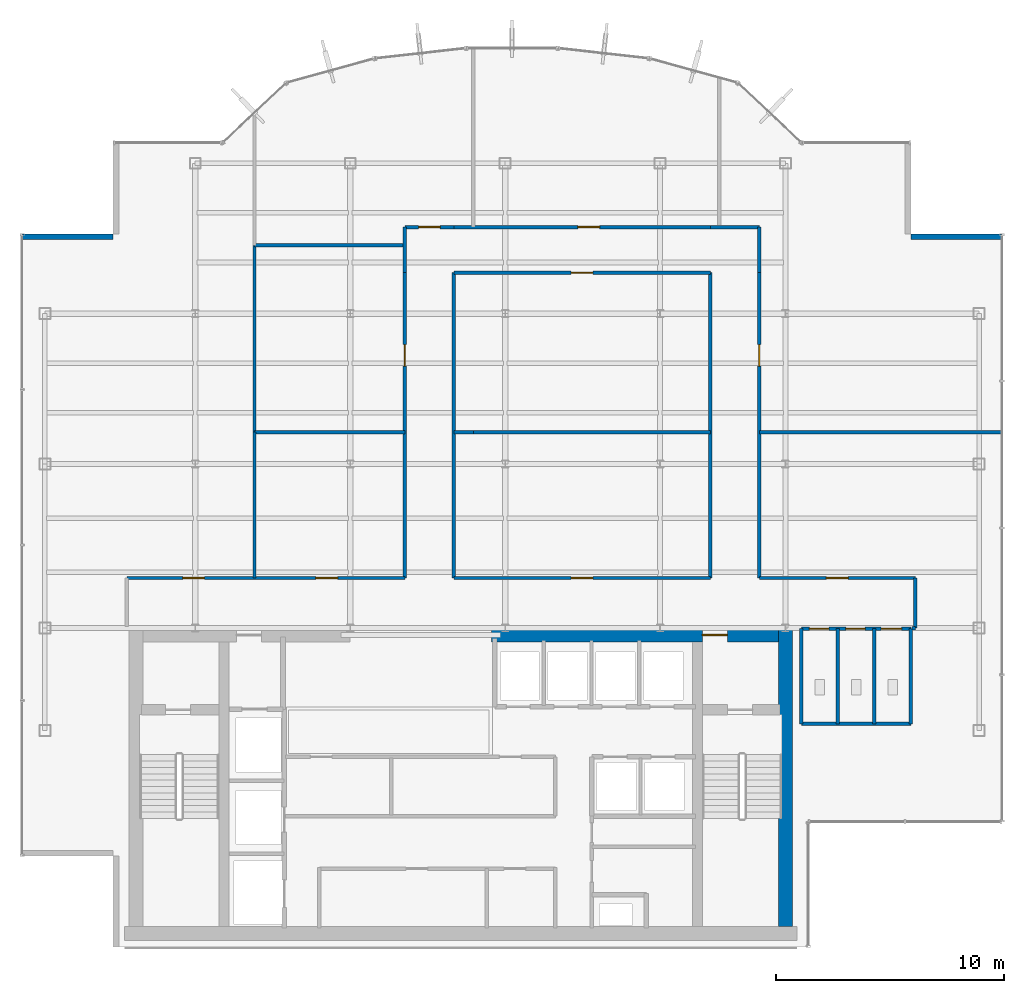
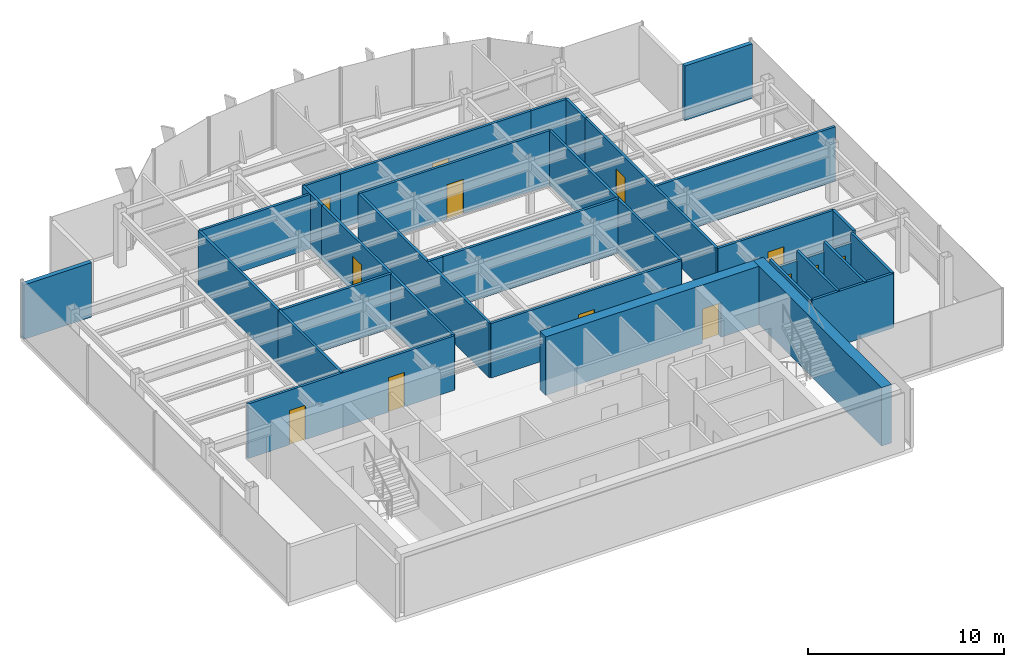
# One storey, part 18 of 22: 32 walls, 13 doors, 13 openings.
"""IFC4 building model written with IfcOpenShell, lengths in metres."""

from ifc_helpers import new_model, si_unit, derived_unit, direction, frame, frame_2d, origin, place, context, subcontext, project, spatial, rectangle, extrude, source, transform, mapped, material, layer, layer_set, type_object, element, fill, save


model = new_model("IFC4")

# Units and contexts
model_context = context("Model", 3, precision=1e-05, world=origin(), true_north=direction((0.0, 1.0)))
body_context = subcontext(model_context, "Body", "Model", "MODEL_VIEW")
ifc_project = project(units=[si_unit("LENGTHUNIT", "METRE"), si_unit("AREAUNIT", "SQUARE_METRE"), si_unit("VOLUMEUNIT", "CUBIC_METRE"), si_unit("PLANEANGLEUNIT", "RADIAN"), si_unit("MASSUNIT", "GRAM", prefix="KILO"), derived_unit("THERMALTRANSMITTANCEUNIT", [(si_unit("POWERUNIT", "WATT"), 1), (si_unit("LENGTHUNIT", "METRE"), -2), (si_unit("THERMODYNAMICTEMPERATUREUNIT", "KELVIN"), -1)])], contexts=[model_context])

# Site, building, storey
site_placement = place(None, origin())
site = spatial("IfcSite", under=ifc_project, at=site_placement, CompositionType="ELEMENT")
building_placement = place(site_placement, origin())
building = spatial("IfcBuilding", under=site, at=building_placement, Name="Skarnbrae Concourse Arena and Tower", CompositionType="ELEMENT")
storey_placement = place(building_placement, frame((0.0, 0.0, 247.85009765625)))
storey = spatial("IfcBuildingStorey", under=building, at=storey_placement, Name="L64", CompositionType="ELEMENT", Elevation=247.85009765625)

# Wall
ifc_material_1 = material(Name="Concrete 50 MPa (C50/60)", Category="concrete")
ifc_layer_1 = layer(ifc_material_1, 0.60009765625)
ifc_layer_set_1 = layer_set([ifc_layer_1], Name="Concrete 50 MPa (C50/60)")
wall_type_1 = type_object("IfcWallType", Name="WALL-CORE-600-C50", PredefinedType="SHEAR", material=ifc_layer_set_1)
shared_shape_1 = source(origin(), body_context, "Body", "SweptSolid", [
    extrude(rectangle(XDim=13.10009765625, YDim=0.60009765625, at=frame_2d((6.550048828125, 0.0))), origin(), (0.0, 0.0, 1.0), 3.64990234375),
])
wall_1_placement = place(storey_placement, frame((33.5, 0.89990234375, 0.0), z_axis=(0.0, 0.0, 1.0), x_axis=(0.0, 1.0, 0.0)))
element("IfcWall", 1, at=wall_1_placement, inside=storey, type_object=wall_type_1, Name="L64 Rear core shear wall CW-E", PredefinedType="SHEAR", context=body_context, shape_type="MappedRepresentation", body=[
    mapped(shared_shape_1, transform((0.0, 0.0, 0.0))),
])

# Wall, opening, door
shared_shape_2 = source(origin(), body_context, "Body", "SweptSolid", [
    extrude(rectangle(XDim=12.599853515625, YDim=0.60009765625, at=frame_2d((6.2998046875, 0.0))), origin(), (0.0, 0.0, 1.0), 3.64990234375),
])
wall_2_placement = place(storey_placement, frame((20.60009765625, 13.699951171875, 0.0), z_axis=(0.0, 0.0, 1.0), x_axis=(1.0, 0.0, 0.0)))
wall_2 = element("IfcWall", 2, at=wall_2_placement, inside=storey, type_object=wall_type_1, Name="L64 Rear core shear wall CW-NE", PredefinedType="SHEAR", context=body_context, shape_type="MappedRepresentation", body=[
    mapped(shared_shape_2, transform((0.0, 0.0, 0.0))),
])
opening_1_placement = place(wall_2_placement, frame((9.25, 0.0, 0.0)))
opening_1 = element("IfcOpeningElement", 3, at=opening_1_placement, cuts=wall_2, Name="Opening DT-03", PredefinedType="OPENING", context=body_context, shape_type="SweptSolid", body=[
    extrude(rectangle(XDim=1.10009765625, YDim=2.14990234375, at=frame_2d((0.550048828125, 1.074951171875))), frame((0.0, 0.31005859375, 0.0), z_axis=(0.0, -1.0, 0.0), x_axis=(1.0, 0.0, 0.0)), (0.0, 0.0, 1.0), 0.6201171875),
])
ifc_material_2 = material(Name="Steel CSA G40.21 350W", Category="steel")
door_type_1 = type_object("IfcDoorType", Name="DOOR-FIRE-1100-90M", OperationType="NOTDEFINED", PredefinedType="DOOR", material=ifc_material_2)
shared_shape_3 = source(origin(), body_context, "Body", "SweptSolid", [
    extrude(rectangle(XDim=1.10009765625, YDim=2.14990234375, at=frame_2d((0.550048828125, 1.074951171875))), frame((0.0, 0.02490234375, 0.0), z_axis=(0.0, -1.0, 0.0), x_axis=(1.0, 0.0, 0.0)), (0.0, 0.0, 1.0), 0.050048828125),
])
door_1_placement = place(opening_1_placement, origin())
door_1 = element("IfcDoor", 4, at=door_1_placement, inside=storey, type_object=door_type_1, Name="D-1925 Stair ST-2 Vestibule Door", OperationType="SINGLE_SWING_LEFT", OverallHeight=2.14990234375, OverallWidth=1.10009765625, PredefinedType="DOOR", context=body_context, shape_type="MappedRepresentation", body=[
    mapped(shared_shape_3, transform((0.0, 0.0, 0.0))),
])
fill(opening_1, door_1)

# Walls
ifc_material_3 = material(Name="Precast concrete 40 MPa (C40/50)", Category="concrete")
ifc_layer_2 = layer(ifc_material_3, 0.25)
ifc_layer_set_2 = layer_set([ifc_layer_2], Name="Precast concrete 40 MPa (C40/50)")
wall_type_2 = type_object("IfcWallType", Name="WALL-EXT-SPANDREL-250", PredefinedType="STANDARD", material=ifc_layer_set_2)
shared_shape_4 = source(origin(), body_context, "Body", "SweptSolid", [
    extrude(rectangle(XDim=4.0, YDim=0.25, at=frame_2d((2.0, 0.0))), origin(), (0.0, 0.0, 1.0), 3.39990234375),
])
for number, where, z_axis, x_axis, name in (
    (5, (43.0, 31.175048828125, 0.0), (0.0, 0.0, 1.0), (-1.0, 0.0, 0.0), "L64 Notched corner insulated return wall 05"),
    (6, (4.0, 31.175048828125, 0.0), (0.0, 0.0, 1.0), (-1.0, 0.0, 0.0), "L64 Notched corner insulated return wall 17"),
):
    element("IfcWall", number, at=place(storey_placement, frame(where, z_axis=z_axis, x_axis=x_axis)), inside=storey, type_object=wall_type_2, Name=name, PredefinedType="STANDARD", context=body_context, shape_type="MappedRepresentation", body=[
        mapped(shared_shape_4, transform((0.0, 0.0, 0.0))),
    ])
ifc_material_4 = material(Name="Gypsum board on cold-formed steel studs", Category="steel")
ifc_layer_3 = layer(ifc_material_4, 0.14990234375)
ifc_layer_set_3 = layer_set([ifc_layer_3], Name="Gypsum board on cold-formed steel studs")
wall_type_3 = type_object("IfcWallType", Name="WALL-PART-150", PredefinedType="PARTITIONING", material=ifc_layer_set_3)
shared_shape_5 = source(origin(), body_context, "Body", "SweptSolid", [
    extrude(rectangle(XDim=4.800048828125, YDim=0.14990234375, at=frame_2d((2.39990234375, 0.0))), origin(), (0.0, 0.0, 1.0), 3.39990234375),
])
wall_3_placement = place(storey_placement, frame((34.199951171875, 9.800048828125, 0.0), z_axis=(0.0, 0.0, 1.0), x_axis=(1.0, 0.0, 0.0)))
element("IfcWall", 7, at=wall_3_placement, inside=storey, type_object=wall_type_3, Name="L64 Interior partition wall W-L64-WC-S", PredefinedType="PARTITIONING", context=body_context, shape_type="MappedRepresentation", body=[
    mapped(shared_shape_5, transform((0.0, 0.0, 0.0))),
])
shared_shape_6 = source(origin(), body_context, "Body", "SweptSolid", [
    extrude(rectangle(XDim=4.179931640625, YDim=0.14990234375, at=frame_2d((2.08984375, 0.0))), origin(), (0.0, 0.0, 1.0), 3.39990234375),
])
for number, where, z_axis, x_axis, name in (
    (8, (39.0, 9.800048828125, 0.0), (0.0, 0.0, 1.0), (0.0, 1.0, 0.0), "L64 Interior partition wall W-L64-WC-E"),
    (9, (34.199951171875, 9.800048828125, 0.0), (0.0, 0.0, 1.0), (0.0, 1.0, 0.0), "L64 Interior partition wall W-L64-WC-W"),
    (10, (35.800048828125, 9.800048828125, 0.0), (0.0, 0.0, 1.0), (0.0, 1.0, 0.0), "L64 Interior partition wall W-L64-WC-D1"),
    (11, (37.39990234375, 9.800048828125, 0.0), (0.0, 0.0, 1.0), (0.0, 1.0, 0.0), "L64 Interior partition wall W-L64-WC-D2"),
):
    element("IfcWall", number, at=place(storey_placement, frame(where, z_axis=z_axis, x_axis=x_axis)), inside=storey, type_object=wall_type_3, Name=name, PredefinedType="PARTITIONING", context=body_context, shape_type="MappedRepresentation", body=[
        mapped(shared_shape_6, transform((0.0, 0.0, 0.0))),
    ])

# Wall, opening, door
ifc_layer_4 = layer(ifc_material_4, 0.14990234375)
ifc_layer_set_4 = layer_set([ifc_layer_4], Name="Gypsum board on cold-formed steel studs")
wall_type_4 = type_object("IfcWallType", Name="WALL-PART-150-1HR", PredefinedType="PARTITIONING", material=ifc_layer_set_4)
shared_shape_7 = source(origin(), body_context, "Body", "SweptSolid", [
    extrude(rectangle(XDim=13.400146484375, YDim=0.14990234375, at=frame_2d((6.7001953125, 0.0))), origin(), (0.0, 0.0, 1.0), 3.39990234375),
])
wall_4_placement = place(storey_placement, frame((16.800048828125, 16.199951171875, 0.0), z_axis=(0.0, 0.0, 1.0), x_axis=(0.0, 1.0, 0.0)))
wall_4 = element("IfcWall", 12, at=wall_4_placement, inside=storey, type_object=wall_type_4, Name="L64 Interior partition wall W-L64-COR-03", PredefinedType="PARTITIONING", context=body_context, shape_type="MappedRepresentation", body=[
    mapped(shared_shape_7, transform((0.0, 0.0, 0.0))),
])
opening_2_placement = place(wall_4_placement, frame((9.294921875, 0.0, 0.0)))
opening_2 = element("IfcOpeningElement", 13, at=opening_2_placement, cuts=wall_4, Name="Opening DT-04", PredefinedType="OPENING", context=body_context, shape_type="SweptSolid", body=[
    extrude(rectangle(XDim=0.949951171875, YDim=2.14990234375, at=frame_2d((0.47509765625, 1.074951171875))), frame((0.0, 0.0849609375, 0.0), z_axis=(0.0, -1.0, 0.0), x_axis=(1.0, 0.0, 0.0)), (0.0, 0.0, 1.0), 0.169921875),
])
door_type_2 = type_object("IfcDoorType", Name="DOOR-INT-950-45M", OperationType="NOTDEFINED", PredefinedType="DOOR", material=ifc_material_2)
shared_shape_8 = source(origin(), body_context, "Body", "SweptSolid", [
    extrude(rectangle(XDim=0.949951171875, YDim=2.14990234375, at=frame_2d((0.47509765625, 1.074951171875))), frame((0.0, 0.02490234375, 0.0), z_axis=(0.0, -1.0, 0.0), x_axis=(1.0, 0.0, 0.0)), (0.0, 0.0, 1.0), 0.050048828125),
])
door_2_placement = place(opening_2_placement, origin())
door_2 = element("IfcDoor", 14, at=door_2_placement, inside=storey, type_object=door_type_2, Name="D-1946 L64 Suite Door 03", OperationType="SINGLE_SWING_RIGHT", OverallHeight=2.14990234375, OverallWidth=0.949951171875, PredefinedType="DOOR", context=body_context, shape_type="MappedRepresentation", body=[
    mapped(shared_shape_8, transform((0.0, 0.0, 0.0))),
])
fill(opening_2, door_2)

wall_5_placement = place(storey_placement, frame((32.35009765625, 29.60009765625, 0.0), z_axis=(0.0, 0.0, 1.0), x_axis=(0.0, -1.0, 0.0)))
wall_5 = element("IfcWall", 15, at=wall_5_placement, inside=storey, type_object=wall_type_4, Name="L64 Interior partition wall W-L64-COR-09", PredefinedType="PARTITIONING", context=body_context, shape_type="MappedRepresentation", body=[
    mapped(shared_shape_7, transform((0.0, 0.0, 0.0))),
])
opening_3_placement = place(wall_5_placement, frame((3.155029296875, 0.0, 0.0)))
opening_3 = element("IfcOpeningElement", 16, at=opening_3_placement, cuts=wall_5, Name="Opening DT-04", PredefinedType="OPENING", context=body_context, shape_type="SweptSolid", body=[
    extrude(rectangle(XDim=0.949951171875, YDim=2.14990234375, at=frame_2d((0.47509765625, 1.074951171875))), frame((0.0, 0.0849609375, 0.0), z_axis=(0.0, -1.0, 0.0), x_axis=(1.0, 0.0, 0.0)), (0.0, 0.0, 1.0), 0.169921875),
])
door_3_placement = place(opening_3_placement, origin())
door_3 = element("IfcDoor", 17, at=door_3_placement, inside=storey, type_object=door_type_2, Name="D-1951 L64 Suite Door 08", OperationType="SINGLE_SWING_LEFT", OverallHeight=2.14990234375, OverallWidth=0.949951171875, PredefinedType="DOOR", context=body_context, shape_type="MappedRepresentation", body=[
    mapped(shared_shape_8, transform((0.0, 0.0, 0.0))),
])
fill(opening_3, door_3)

# Walls
for number, where, z_axis, x_axis, name in (
    (18, (30.199951171875, 16.199951171875, 0.0), (0.0, 0.0, 1.0), (0.0, 1.0, 0.0), "L64 Interior partition wall W-L64-COR-14"),
    (19, (18.949951171875, 29.60009765625, 0.0), (0.0, 0.0, 1.0), (0.0, -1.0, 0.0), "L64 Interior partition wall W-L64-COR-16"),
):
    element("IfcWall", number, at=place(storey_placement, frame(where, z_axis=z_axis, x_axis=x_axis)), inside=storey, type_object=wall_type_4, Name=name, PredefinedType="PARTITIONING", context=body_context, shape_type="MappedRepresentation", body=[
        mapped(shared_shape_7, transform((0.0, 0.0, 0.0))),
    ])
shared_shape_9 = source(origin(), body_context, "Body", "SweptSolid", [
    extrude(rectangle(XDim=2.199951171875, YDim=0.14990234375, at=frame_2d((1.10009765625, 0.0))), origin(), (0.0, 0.0, 1.0), 3.39990234375),
])
wall_6_placement = place(storey_placement, frame((39.199951171875, 16.199951171875, 0.0), z_axis=(0.0, 0.0, 1.0), x_axis=(0.0, -1.0, 0.0)))
element("IfcWall", 20, at=wall_6_placement, inside=storey, type_object=wall_type_4, Name="L64 Interior partition wall W-L64-COR-11", PredefinedType="PARTITIONING", context=body_context, shape_type="MappedRepresentation", body=[
    mapped(shared_shape_9, transform((0.0, 0.0, 0.0))),
])

# Wall, openings, doors
shared_shape_10 = source(origin(), body_context, "Body", "SweptSolid", [
    extrude(rectangle(XDim=12.199951171875, YDim=0.14990234375, at=frame_2d((6.10009765625, 0.0))), origin(), (0.0, 0.0, 1.0), 3.39990234375),
])
wall_7_placement = place(storey_placement, frame((4.60009765625, 16.199951171875, 0.0), z_axis=(0.0, 0.0, 1.0), x_axis=(1.0, 0.0, 0.0)))
wall_7 = element("IfcWall", 21, at=wall_7_placement, inside=storey, type_object=wall_type_4, Name="L64 Interior partition wall W-L64-COR-02", PredefinedType="PARTITIONING", context=body_context, shape_type="MappedRepresentation", body=[
    mapped(shared_shape_10, transform((0.0, 0.0, 0.0))),
])
opening_4_placement = place(wall_7_placement, frame((2.455078125, 0.0, 0.0)))
opening_4 = element("IfcOpeningElement", 22, at=opening_4_placement, cuts=wall_7, Name="Opening DT-04", PredefinedType="OPENING", context=body_context, shape_type="SweptSolid", body=[
    extrude(rectangle(XDim=0.949951171875, YDim=2.14990234375, at=frame_2d((0.47509765625, 1.074951171875))), frame((0.0, 0.0849609375, 0.0), z_axis=(0.0, -1.0, 0.0), x_axis=(1.0, 0.0, 0.0)), (0.0, 0.0, 1.0), 0.169921875),
])
opening_5_placement = place(wall_7_placement, frame((8.294921875, 0.0, 0.0)))
opening_5 = element("IfcOpeningElement", 23, at=opening_5_placement, cuts=wall_7, Name="Opening DT-04", PredefinedType="OPENING", context=body_context, shape_type="SweptSolid", body=[
    extrude(rectangle(XDim=0.949951171875, YDim=2.14990234375, at=frame_2d((0.47509765625, 1.074951171875))), frame((0.0, 0.0849609375, 0.0), z_axis=(0.0, -1.0, 0.0), x_axis=(1.0, 0.0, 0.0)), (0.0, 0.0, 1.0), 0.169921875),
])
door_4_placement = place(opening_4_placement, origin())
door_4 = element("IfcDoor", 24, at=door_4_placement, inside=storey, type_object=door_type_2, Name="D-1944 L64 Suite Door 01", OperationType="SINGLE_SWING_RIGHT", OverallHeight=2.14990234375, OverallWidth=0.949951171875, PredefinedType="DOOR", context=body_context, shape_type="MappedRepresentation", body=[
    mapped(shared_shape_8, transform((0.0, 0.0, 0.0))),
])
fill(opening_4, door_4)
door_5_placement = place(opening_5_placement, origin())
door_5 = element("IfcDoor", 25, at=door_5_placement, inside=storey, type_object=door_type_2, Name="D-1945 L64 Suite Door 02", OperationType="SINGLE_SWING_LEFT", OverallHeight=2.14990234375, OverallWidth=0.949951171875, PredefinedType="DOOR", context=body_context, shape_type="MappedRepresentation", body=[
    mapped(shared_shape_8, transform((0.0, 0.0, 0.0))),
])
fill(opening_5, door_5)

# Wall
shared_shape_11 = source(origin(), body_context, "Body", "SweptSolid", [
    extrude(rectangle(XDim=8.199951171875, YDim=0.14990234375, at=frame_2d((4.10009765625, 0.0))), origin(), (0.0, 0.0, 1.0), 3.39990234375),
])
wall_8_placement = place(storey_placement, frame((10.199951171875, 30.800048828125, 0.0), z_axis=(0.0, 0.0, 1.0), x_axis=(0.0, -1.0, 0.0)))
element("IfcWall", 26, at=wall_8_placement, inside=storey, type_object=wall_type_3, Name="L64 Interior partition wall W-L64-DEM-19", PredefinedType="PARTITIONING", context=body_context, shape_type="MappedRepresentation", body=[
    mapped(shared_shape_11, transform((0.0, 0.0, 0.0))),
])

# Wall, openings, doors
shared_shape_12 = source(origin(), body_context, "Body", "SweptSolid", [
    extrude(rectangle(XDim=4.800048828125, YDim=0.14990234375, at=frame_2d((2.39990234375, 0.0))), origin(), (0.0, 0.0, 1.0), 2.786865234375),
])
wall_9_placement = place(storey_placement, frame((34.199951171875, 13.97998046875, 0.0), z_axis=(0.0, 0.0, 1.0), x_axis=(1.0, 0.0, 0.0)))
wall_9 = element("IfcWall", 27, at=wall_9_placement, inside=storey, type_object=wall_type_3, Name="L64 Interior partition wall W-L64-WC-N", PredefinedType="PARTITIONING", context=body_context, shape_type="MappedRepresentation", body=[
    mapped(shared_shape_12, transform((0.0, 0.0, 0.0))),
])
opening_6_placement = place(wall_9_placement, frame((0.35009765625, 0.0, 0.0)))
opening_6 = element("IfcOpeningElement", 28, at=opening_6_placement, cuts=wall_9, Name="Opening DT-06", PredefinedType="OPENING", context=body_context, shape_type="SweptSolid", body=[
    extrude(rectangle(XDim=0.85009765625, YDim=2.10009765625, at=frame_2d((0.425048828125, 1.050048828125))), frame((0.0, 0.0849609375, 0.0), z_axis=(0.0, -1.0, 0.0), x_axis=(1.0, 0.0, 0.0)), (0.0, 0.0, 1.0), 0.169921875),
])
opening_7_placement = place(wall_9_placement, frame((1.949951171875, 0.0, 0.0)))
opening_7 = element("IfcOpeningElement", 29, at=opening_7_placement, cuts=wall_9, Name="Opening DT-06", PredefinedType="OPENING", context=body_context, shape_type="SweptSolid", body=[
    extrude(rectangle(XDim=0.85009765625, YDim=2.10009765625, at=frame_2d((0.425048828125, 1.050048828125))), frame((0.0, 0.0849609375, 0.0), z_axis=(0.0, -1.0, 0.0), x_axis=(1.0, 0.0, 0.0)), (0.0, 0.0, 1.0), 0.169921875),
])
opening_8_placement = place(wall_9_placement, frame((3.5, 0.0, 0.0)))
opening_8 = element("IfcOpeningElement", 30, at=opening_8_placement, cuts=wall_9, Name="Opening DT-05", PredefinedType="OPENING", context=body_context, shape_type="SweptSolid", body=[
    extrude(rectangle(XDim=0.89990234375, YDim=2.10009765625, at=frame_2d((0.449951171875, 1.050048828125))), frame((0.0, 0.0849609375, 0.0), z_axis=(0.0, -1.0, 0.0), x_axis=(1.0, 0.0, 0.0)), (0.0, 0.0, 1.0), 0.169921875),
])
ifc_material_5 = material(Name="Architectural oak veneer timber leaf", Category="wood")
door_type_3 = type_object("IfcDoorType", Name="DOOR-INT-850", OperationType="NOTDEFINED", PredefinedType="DOOR", material=ifc_material_5)
shared_shape_13 = source(origin(), body_context, "Body", "SweptSolid", [
    extrude(rectangle(XDim=0.85009765625, YDim=2.10009765625, at=frame_2d((0.425048828125, 1.050048828125))), frame((0.0, 0.02490234375, 0.0), z_axis=(0.0, -1.0, 0.0), x_axis=(1.0, 0.0, 0.0)), (0.0, 0.0, 1.0), 0.050048828125),
])
door_6_placement = place(opening_6_placement, frame((0.85009765625, 0.0, 0.0), z_axis=(0.0, 0.0, 1.0), x_axis=(-1.0, 0.0, 0.0)))
door_6 = element("IfcDoor", 31, at=door_6_placement, inside=storey, type_object=door_type_3, Name="D-1941 Male Washroom Door", OperationType="SINGLE_SWING_LEFT", OverallHeight=2.10009765625, OverallWidth=0.85009765625, PredefinedType="DOOR", context=body_context, shape_type="MappedRepresentation", body=[
    mapped(shared_shape_13, transform((0.0, 0.0, 0.0))),
])
fill(opening_6, door_6)
door_7_placement = place(opening_7_placement, frame((0.85009765625, 0.0, 0.0), z_axis=(0.0, 0.0, 1.0), x_axis=(-1.0, 0.0, 0.0)))
door_7 = element("IfcDoor", 32, at=door_7_placement, inside=storey, type_object=door_type_3, Name="D-1942 Female Washroom Door", OperationType="SINGLE_SWING_RIGHT", OverallHeight=2.10009765625, OverallWidth=0.85009765625, PredefinedType="DOOR", context=body_context, shape_type="MappedRepresentation", body=[
    mapped(shared_shape_13, transform((0.0, 0.0, 0.0))),
])
fill(opening_7, door_7)
door_type_4 = type_object("IfcDoorType", Name="DOOR-INT-900", OperationType="NOTDEFINED", PredefinedType="DOOR", material=ifc_material_5)
shared_shape_14 = source(origin(), body_context, "Body", "SweptSolid", [
    extrude(rectangle(XDim=0.89990234375, YDim=2.10009765625, at=frame_2d((0.449951171875, 1.050048828125))), frame((0.0, 0.02490234375, 0.0), z_axis=(0.0, -1.0, 0.0), x_axis=(1.0, 0.0, 0.0)), (0.0, 0.0, 1.0), 0.050048828125),
])
door_8_placement = place(opening_8_placement, frame((0.89990234375, 0.0, 0.0), z_axis=(0.0, 0.0, 1.0), x_axis=(-1.0, 0.0, 0.0)))
door_8 = element("IfcDoor", 33, at=door_8_placement, inside=storey, type_object=door_type_4, Name="D-1943 Accessible WC Door", OperationType="SINGLE_SWING_LEFT", OverallHeight=2.10009765625, OverallWidth=0.89990234375, PredefinedType="DOOR", context=body_context, shape_type="MappedRepresentation", body=[
    mapped(shared_shape_14, transform((0.0, 0.0, 0.0))),
])
fill(opening_8, door_8)

# Walls
shared_shape_15 = source(origin(), body_context, "Body", "SweptSolid", [
    extrude(rectangle(XDim=0.14990234375, YDim=0.14990234375, at=frame_2d((0.074951171875, 0.0))), origin(), (0.0, 0.0, 1.0), 3.39990234375),
])
wall_10_placement = place(storey_placement, frame((39.199951171875, 14.0, 0.0), z_axis=(0.0, 0.0, 1.0), x_axis=(-1.0, 0.0, 0.0)))
element("IfcWall", 34, at=wall_10_placement, inside=storey, type_object=wall_type_4, Name="L64 Interior partition wall W-L64-COR-12", PredefinedType="PARTITIONING", context=body_context, shape_type="MappedRepresentation", body=[
    mapped(shared_shape_15, transform((0.0, 0.0, 0.0))),
])
shared_shape_16 = source(origin(), body_context, "Body", "SweptSolid", [
    extrude(rectangle(XDim=2.0, YDim=0.14990234375, at=frame_2d((1.0, 0.0))), origin(), (0.0, 0.0, 1.0), 3.39990234375),
])
for number, where, z_axis, x_axis, name in (
    (35, (16.800048828125, 29.60009765625, 0.0), (0.0, 0.0, 1.0), (0.0, 1.0, 0.0), "L64 Interior partition wall W-L64-COR-04"),
    (36, (32.35009765625, 31.60009765625, 0.0), (0.0, 0.0, 1.0), (0.0, -1.0, 0.0), "L64 Interior partition wall W-L64-COR-08"),
):
    element("IfcWall", number, at=place(storey_placement, frame(where, z_axis=z_axis, x_axis=x_axis)), inside=storey, type_object=wall_type_4, Name=name, PredefinedType="PARTITIONING", context=body_context, shape_type="MappedRepresentation", body=[
        mapped(shared_shape_16, transform((0.0, 0.0, 0.0))),
    ])

# Wall, opening, door
shared_shape_17 = source(origin(), body_context, "Body", "SweptSolid", [
    extrude(rectangle(XDim=2.14990234375, YDim=0.14990234375, at=frame_2d((1.074951171875, 0.0))), origin(), (0.0, 0.0, 1.0), 3.39990234375),
])
wall_11_placement = place(storey_placement, frame((16.800048828125, 31.60009765625, 0.0), z_axis=(0.0, 0.0, 1.0), x_axis=(1.0, 0.0, 0.0)))
wall_11 = element("IfcWall", 37, at=wall_11_placement, inside=storey, type_object=wall_type_4, Name="L64 Interior partition wall W-L64-COR-05", PredefinedType="PARTITIONING", context=body_context, shape_type="MappedRepresentation", body=[
    mapped(shared_shape_17, transform((0.0, 0.0, 0.0))),
])
opening_9_placement = place(wall_11_placement, frame((0.60009765625, 0.0, 0.0)))
opening_9 = element("IfcOpeningElement", 38, at=opening_9_placement, cuts=wall_11, Name="Opening DT-04", PredefinedType="OPENING", context=body_context, shape_type="SweptSolid", body=[
    extrude(rectangle(XDim=0.949951171875, YDim=2.14990234375, at=frame_2d((0.47509765625, 1.074951171875))), frame((0.0, 0.0849609375, 0.0), z_axis=(0.0, -1.0, 0.0), x_axis=(1.0, 0.0, 0.0)), (0.0, 0.0, 1.0), 0.169921875),
])
door_9_placement = place(opening_9_placement, origin())
door_9 = element("IfcDoor", 39, at=door_9_placement, inside=storey, type_object=door_type_2, Name="D-1947 L64 Suite Door 04", OperationType="SINGLE_SWING_LEFT", OverallHeight=2.14990234375, OverallWidth=0.949951171875, PredefinedType="DOOR", context=body_context, shape_type="MappedRepresentation", body=[
    mapped(shared_shape_8, transform((0.0, 0.0, 0.0))),
])
fill(opening_9, door_9)

# Wall
shared_shape_18 = source(origin(), body_context, "Body", "SweptSolid", [
    extrude(rectangle(XDim=2.150146484375, YDim=0.14990234375, at=frame_2d((1.0751953125, 0.0))), origin(), (0.0, 0.0, 1.0), 3.39990234375),
])
wall_12_placement = place(storey_placement, frame((30.199951171875, 31.60009765625, 0.0), z_axis=(0.0, 0.0, 1.0), x_axis=(1.0, 0.0, 0.0)))
element("IfcWall", 40, at=wall_12_placement, inside=storey, type_object=wall_type_4, Name="L64 Interior partition wall W-L64-COR-07", PredefinedType="PARTITIONING", context=body_context, shape_type="MappedRepresentation", body=[
    mapped(shared_shape_18, transform((0.0, 0.0, 0.0))),
])

# Wall, opening, door
shared_shape_19 = source(origin(), body_context, "Body", "SweptSolid", [
    extrude(rectangle(XDim=6.849853515625, YDim=0.14990234375, at=frame_2d((3.4248046875, 0.0))), origin(), (0.0, 0.0, 1.0), 3.39990234375),
])
wall_13_placement = place(storey_placement, frame((32.35009765625, 16.199951171875, 0.0), z_axis=(0.0, 0.0, 1.0), x_axis=(1.0, 0.0, 0.0)))
wall_13 = element("IfcWall", 41, at=wall_13_placement, inside=storey, type_object=wall_type_4, Name="L64 Interior partition wall W-L64-COR-10", PredefinedType="PARTITIONING", context=body_context, shape_type="MappedRepresentation", body=[
    mapped(shared_shape_19, transform((0.0, 0.0, 0.0))),
])
opening_10_placement = place(wall_13_placement, frame((2.949951171875, 0.0, 0.0)))
opening_10 = element("IfcOpeningElement", 42, at=opening_10_placement, cuts=wall_13, Name="Opening DT-04", PredefinedType="OPENING", context=body_context, shape_type="SweptSolid", body=[
    extrude(rectangle(XDim=0.949951171875, YDim=2.14990234375, at=frame_2d((0.47509765625, 1.074951171875))), frame((0.0, 0.0849609375, 0.0), z_axis=(0.0, -1.0, 0.0), x_axis=(1.0, 0.0, 0.0)), (0.0, 0.0, 1.0), 0.169921875),
])
door_10_placement = place(opening_10_placement, origin())
door_10 = element("IfcDoor", 43, at=door_10_placement, inside=storey, type_object=door_type_2, Name="D-1952 L64 Suite Door 09", OperationType="SINGLE_SWING_RIGHT", OverallHeight=2.14990234375, OverallWidth=0.949951171875, PredefinedType="DOOR", context=body_context, shape_type="MappedRepresentation", body=[
    mapped(shared_shape_8, transform((0.0, 0.0, 0.0))),
])
fill(opening_10, door_10)

shared_shape_20 = source(origin(), body_context, "Body", "SweptSolid", [
    extrude(rectangle(XDim=11.25, YDim=0.14990234375, at=frame_2d((5.625, 0.0))), origin(), (0.0, 0.0, 1.0), 3.39990234375),
])
wall_14_placement = place(storey_placement, frame((18.949951171875, 31.60009765625, 0.0), z_axis=(0.0, 0.0, 1.0), x_axis=(1.0, 0.0, 0.0)))
wall_14 = element("IfcWall", 44, at=wall_14_placement, inside=storey, type_object=wall_type_4, Name="L64 Interior partition wall W-L64-COR-06", PredefinedType="PARTITIONING", context=body_context, shape_type="MappedRepresentation", body=[
    mapped(shared_shape_20, transform((0.0, 0.0, 0.0))),
])
opening_11_placement = place(wall_14_placement, frame((5.445068359375, 0.0, 0.0)))
opening_11 = element("IfcOpeningElement", 45, at=opening_11_placement, cuts=wall_14, Name="Opening DT-04", PredefinedType="OPENING", context=body_context, shape_type="SweptSolid", body=[
    extrude(rectangle(XDim=0.949951171875, YDim=2.14990234375, at=frame_2d((0.47509765625, 1.074951171875))), frame((0.0, 0.0849609375, 0.0), z_axis=(0.0, -1.0, 0.0), x_axis=(1.0, 0.0, 0.0)), (0.0, 0.0, 1.0), 0.169921875),
])
door_11_placement = place(opening_11_placement, origin())
door_11 = element("IfcDoor", 46, at=door_11_placement, inside=storey, type_object=door_type_2, Name="D-1950 L64 Suite Door 07", OperationType="SINGLE_SWING_RIGHT", OverallHeight=2.14990234375, OverallWidth=0.949951171875, PredefinedType="DOOR", context=body_context, shape_type="MappedRepresentation", body=[
    mapped(shared_shape_8, transform((0.0, 0.0, 0.0))),
])
fill(opening_11, door_11)

wall_15_placement = place(storey_placement, frame((18.949951171875, 16.199951171875, 0.0), z_axis=(0.0, 0.0, 1.0), x_axis=(1.0, 0.0, 0.0)))
wall_15 = element("IfcWall", 47, at=wall_15_placement, inside=storey, type_object=wall_type_4, Name="L64 Interior partition wall W-L64-COR-13", PredefinedType="PARTITIONING", context=body_context, shape_type="MappedRepresentation", body=[
    mapped(shared_shape_20, transform((0.0, 0.0, 0.0))),
])
opening_12_placement = place(wall_15_placement, frame((5.14990234375, 0.0, 0.0)))
opening_12 = element("IfcOpeningElement", 48, at=opening_12_placement, cuts=wall_15, Name="Opening DT-04", PredefinedType="OPENING", context=body_context, shape_type="SweptSolid", body=[
    extrude(rectangle(XDim=0.949951171875, YDim=2.14990234375, at=frame_2d((0.47509765625, 1.074951171875))), frame((0.0, 0.0849609375, 0.0), z_axis=(0.0, -1.0, 0.0), x_axis=(1.0, 0.0, 0.0)), (0.0, 0.0, 1.0), 0.169921875),
])
door_12_placement = place(opening_12_placement, origin())
door_12 = element("IfcDoor", 49, at=door_12_placement, inside=storey, type_object=door_type_2, Name="D-1948 L64 Suite Door 05", OperationType="SINGLE_SWING_RIGHT", OverallHeight=2.14990234375, OverallWidth=0.949951171875, PredefinedType="DOOR", context=body_context, shape_type="MappedRepresentation", body=[
    mapped(shared_shape_8, transform((0.0, 0.0, 0.0))),
])
fill(opening_12, door_12)

wall_16_placement = place(storey_placement, frame((30.199951171875, 29.60009765625, 0.0), z_axis=(0.0, 0.0, 1.0), x_axis=(-1.0, 0.0, 0.0)))
wall_16 = element("IfcWall", 50, at=wall_16_placement, inside=storey, type_object=wall_type_4, Name="L64 Interior partition wall W-L64-COR-15", PredefinedType="PARTITIONING", context=body_context, shape_type="MappedRepresentation", body=[
    mapped(shared_shape_20, transform((0.0, 0.0, 0.0))),
])
opening_13_placement = place(wall_16_placement, frame((5.14990234375, 0.0, 0.0)))
opening_13 = element("IfcOpeningElement", 51, at=opening_13_placement, cuts=wall_16, Name="Opening DT-04", PredefinedType="OPENING", context=body_context, shape_type="SweptSolid", body=[
    extrude(rectangle(XDim=0.949951171875, YDim=2.14990234375, at=frame_2d((0.47509765625, 1.074951171875))), frame((0.0, 0.0849609375, 0.0), z_axis=(0.0, -1.0, 0.0), x_axis=(1.0, 0.0, 0.0)), (0.0, 0.0, 1.0), 0.169921875),
])
door_13_placement = place(opening_13_placement, origin())
door_13 = element("IfcDoor", 52, at=door_13_placement, inside=storey, type_object=door_type_2, Name="D-1949 L64 Suite Door 06", OperationType="SINGLE_SWING_LEFT", OverallHeight=2.14990234375, OverallWidth=0.949951171875, PredefinedType="DOOR", context=body_context, shape_type="MappedRepresentation", body=[
    mapped(shared_shape_8, transform((0.0, 0.0, 0.0))),
])
fill(opening_13, door_13)

# Walls
shared_shape_21 = source(origin(), body_context, "Body", "SweptSolid", [
    extrude(rectangle(XDim=6.400146484375, YDim=0.14990234375, at=frame_2d((3.2001953125, 0.0))), origin(), (0.0, 0.0, 1.0), 3.39990234375),
])
wall_17_placement = place(storey_placement, frame((10.199951171875, 22.60009765625, 0.0), z_axis=(0.0, 0.0, 1.0), x_axis=(0.0, -1.0, 0.0)))
element("IfcWall", 53, at=wall_17_placement, inside=storey, type_object=wall_type_3, Name="L64 Interior partition wall W-L64-DEM-17", PredefinedType="PARTITIONING", context=body_context, shape_type="MappedRepresentation", body=[
    mapped(shared_shape_21, transform((0.0, 0.0, 0.0))),
])
shared_shape_22 = source(origin(), body_context, "Body", "SweptSolid", [
    extrude(rectangle(XDim=6.60009765625, YDim=0.14990234375, at=frame_2d((3.300048828125, 0.0))), origin(), (0.0, 0.0, 1.0), 3.39990234375),
])
for number, where, z_axis, x_axis, name in (
    (54, (10.199951171875, 22.60009765625, 0.0), (0.0, 0.0, 1.0), (1.0, 0.0, 0.0), "L64 Interior partition wall W-L64-DEM-18"),
    (55, (10.199951171875, 30.800048828125, 0.0), (0.0, 0.0, 1.0), (1.0, 0.0, 0.0), "L64 Interior partition wall W-L64-DEM-20"),
):
    element("IfcWall", number, at=place(storey_placement, frame(where, z_axis=z_axis, x_axis=x_axis)), inside=storey, type_object=wall_type_3, Name=name, PredefinedType="PARTITIONING", context=body_context, shape_type="MappedRepresentation", body=[
        mapped(shared_shape_22, transform((0.0, 0.0, 0.0))),
    ])
shared_shape_23 = source(origin(), body_context, "Body", "SweptSolid", [
    extrude(rectangle(XDim=0.85009765625, YDim=0.14990234375, at=frame_2d((0.425048828125, 0.0))), origin(), (0.0, 0.0, 1.0), 3.39990234375),
])
wall_18_placement = place(storey_placement, frame((18.949951171875, 22.60009765625, 0.0), z_axis=(0.0, 0.0, 1.0), x_axis=(1.0, 0.0, 0.0)))
element("IfcWall", 56, at=wall_18_placement, inside=storey, type_object=wall_type_3, Name="L64 Interior partition wall W-L64-DEM-22", PredefinedType="PARTITIONING", context=body_context, shape_type="MappedRepresentation", body=[
    mapped(shared_shape_23, transform((0.0, 0.0, 0.0))),
])
shared_shape_24 = source(origin(), body_context, "Body", "SweptSolid", [
    extrude(rectangle(XDim=10.39990234375, YDim=0.14990234375, at=frame_2d((5.199951171875, 0.0))), origin(), (0.0, 0.0, 1.0), 3.39990234375),
])
wall_19_placement = place(storey_placement, frame((19.800048828125, 22.60009765625, 0.0), z_axis=(0.0, 0.0, 1.0), x_axis=(1.0, 0.0, 0.0)))
element("IfcWall", 57, at=wall_19_placement, inside=storey, type_object=wall_type_3, Name="L64 Interior partition wall W-L64-DEM-23", PredefinedType="PARTITIONING", context=body_context, shape_type="MappedRepresentation", body=[
    mapped(shared_shape_24, transform((0.0, 0.0, 0.0))),
])
shared_shape_25 = source(origin(), body_context, "Body", "SweptSolid", [
    extrude(rectangle(XDim=10.6298828125, YDim=0.14990234375, at=frame_2d((5.31494140625, 0.0))), origin(), (0.0, 0.0, 1.0), 3.39990234375),
])
wall_20_placement = place(storey_placement, frame((42.97998046875, 22.60009765625, 0.0), z_axis=(0.0, 0.0, 1.0), x_axis=(-1.0, 0.0, 0.0)))
element("IfcWall", 58, at=wall_20_placement, inside=storey, type_object=wall_type_3, Name="L64 Interior partition wall W-L64-DEM-26", PredefinedType="PARTITIONING", context=body_context, shape_type="MappedRepresentation", body=[
    mapped(shared_shape_25, transform((0.0, 0.0, 0.0))),
])

save(model, "model.ifc")
